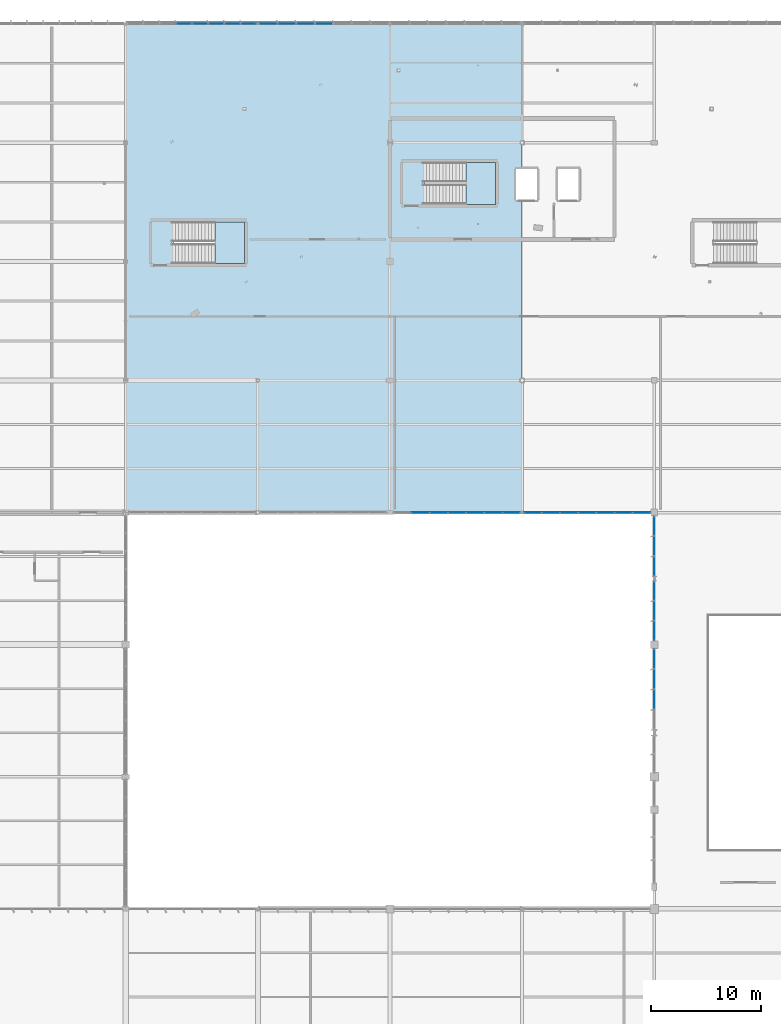
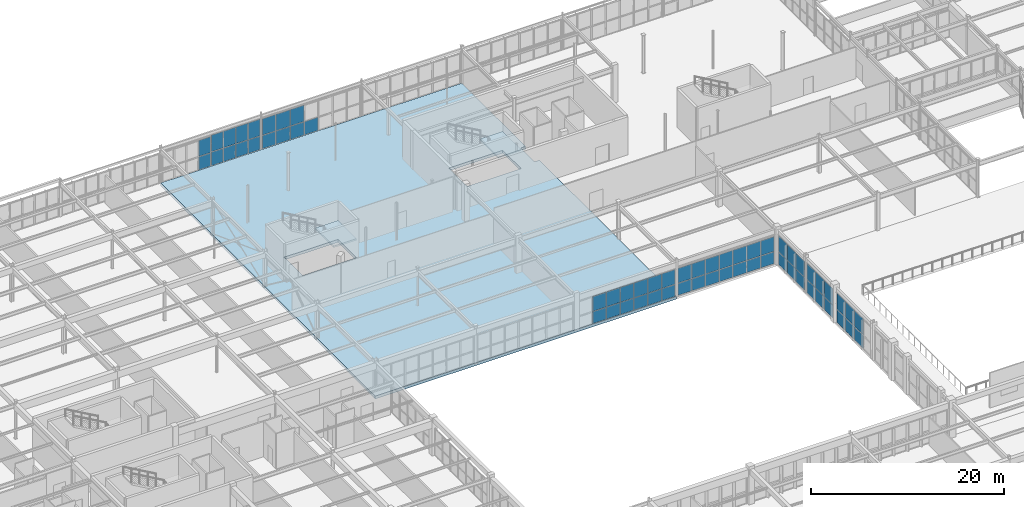
# One storey, part 141 of 226: 61 plates, 3 slabs, 10 elements without a shape of their own.
"""IFC4 building model written with IfcOpenShell, lengths in metres."""

from ifc_helpers import new_model, si_unit, direction, frame, origin, origin_2d, place, context, subcontext, project, spatial, polyline, rectangle, outline, extrude, material, layer, layer_set, type_object, element, aggregate, save


model = new_model("IFC4")

# Units and contexts
model_context = context("Model", 3, precision=1e-05, world=origin(), true_north=direction((0.0, 1.0)))
body_context = subcontext(model_context, "Body", "Model", "MODEL_VIEW")
ifc_project = project(units=[si_unit("LENGTHUNIT", "METRE"), si_unit("AREAUNIT", "SQUARE_METRE"), si_unit("VOLUMEUNIT", "CUBIC_METRE"), si_unit("PLANEANGLEUNIT", "RADIAN"), si_unit("MASSUNIT", "GRAM", prefix="KILO")], contexts=[model_context])

# Site, building, storey
site_placement = place(None, origin())
site = spatial("IfcSite", under=ifc_project, at=site_placement, CompositionType="ELEMENT")
building_placement = place(site_placement, origin())
building = spatial("IfcBuilding", under=site, at=building_placement, Name="Tarnwether General Hospital", CompositionType="ELEMENT")
storey_placement = place(building_placement, frame((0.0, 0.0, 4.800048828125)))
storey = spatial("IfcBuildingStorey", under=building, at=storey_placement, Name="L01", CompositionType="ELEMENT", Elevation=4.800048828125)

# Curtain wall, plates
ifc_material_1 = material(Name="Anodised aluminium", Category="aluminium")
ifc_layer_1 = layer(ifc_material_1, 0.159912109375)
ifc_layer_set_1 = layer_set([ifc_layer_1], Name="Anodised aluminium")
curtain_wall_type_1 = type_object("IfcCurtainWallType", Name="CW-12", PredefinedType="NOTDEFINED", material=ifc_layer_set_1)
curtain_wall_1_placement = place(storey_placement, origin())
curtain_wall_1 = element("IfcCurtainWall", 1, at=curtain_wall_1_placement, inside=storey, type_object=curtain_wall_type_1, Name="Curtain Wall CWG-L01-601_1260-0322", PredefinedType="NOTDEFINED")
ifc_material_2 = material(Name="Double glazed low-E glass", Category="glass")
ifc_layer_2 = layer(ifc_material_2, 0.028076171875)
ifc_layer_set_2 = layer_set([ifc_layer_2], Name="Double glazed low-E glass")
plate_type = type_object("IfcPlateType", Name="PT-CWP1", PredefinedType="CURTAIN_PANEL", material=ifc_layer_set_2)
plate_1_placement = place(storey_placement, frame((65.251953125, 126.0, 0.06005859375), z_axis=(0.0, 0.0, 1.0), x_axis=(1.0, 0.0, 0.0)))
plate_1 = element("IfcPlate", 2, at=plate_1_placement, type_object=plate_type, Name="CW-12 panel 4.1", PredefinedType="CURTAIN_PANEL", context=body_context, shape_type="SweptSolid", body=[
    extrude(rectangle(XDim=1.376220703125, YDim=0.028076171875, at=origin_2d()), origin(), (0.0, 0.0, 1.0), 1.632568359375),
])
plate_2_placement = place(storey_placement, frame((65.251953125, 126.0, 1.75244140625), z_axis=(0.0, 0.0, 1.0), x_axis=(1.0, 0.0, 0.0)))
plate_2 = element("IfcPlate", 3, at=plate_2_placement, type_object=plate_type, Name="CW-12 panel 4.2", PredefinedType="CURTAIN_PANEL", context=body_context, shape_type="SweptSolid", body=[
    extrude(rectangle(XDim=1.376220703125, YDim=0.028076171875, at=origin_2d()), origin(), (0.0, 0.0, 1.0), 2.015380859375),
])
aggregate(curtain_wall_1, [plate_1, plate_2])

ifc_material_3 = material(Name="Anodised aluminium", Category="aluminium")
ifc_layer_3 = layer(ifc_material_3, 0.159912109375)
ifc_layer_set_3 = layer_set([ifc_layer_3], Name="Anodised aluminium")
curtain_wall_type_2 = type_object("IfcCurtainWallType", Name="CW-14", PredefinedType="NOTDEFINED", material=ifc_layer_set_3)
curtain_wall_2_placement = place(storey_placement, origin())
curtain_wall_2 = element("IfcCurtainWall", 4, at=curtain_wall_2_placement, inside=storey, type_object=curtain_wall_type_2, Name="Curtain Wall CWG-L01-660_1260-0323", PredefinedType="NOTDEFINED")
plate_3_placement = place(storey_placement, frame((66.75439453125, 126.0, 0.06005859375), z_axis=(0.0, 0.0, 1.0), x_axis=(1.0, 0.0, 0.0)))
plate_3 = element("IfcPlate", 5, at=plate_3_placement, type_object=plate_type, Name="CW-14 panel 1.1", PredefinedType="CURTAIN_PANEL", context=body_context, shape_type="SweptSolid", body=[
    extrude(rectangle(XDim=1.388916015625, YDim=0.028076171875, at=origin_2d()), origin(), (0.0, 0.0, 1.0), 1.69921875),
])
plate_4_placement = place(storey_placement, frame((66.75439453125, 126.0, 1.819091796875), z_axis=(0.0, 0.0, 1.0), x_axis=(1.0, 0.0, 0.0)))
plate_4 = element("IfcPlate", 6, at=plate_4_placement, type_object=plate_type, Name="CW-14 panel 1.2", PredefinedType="CURTAIN_PANEL", context=body_context, shape_type="SweptSolid", body=[
    extrude(rectangle(XDim=1.388916015625, YDim=0.028076171875, at=origin_2d()), origin(), (0.0, 0.0, 1.0), 2.0966796875),
])
plate_5_placement = place(storey_placement, frame((68.218505859375, 126.0, 0.06005859375), z_axis=(0.0, 0.0, 1.0), x_axis=(1.0, 0.0, 0.0)))
plate_5 = element("IfcPlate", 7, at=plate_5_placement, type_object=plate_type, Name="CW-14 panel 2.1", PredefinedType="CURTAIN_PANEL", context=body_context, shape_type="SweptSolid", body=[
    extrude(rectangle(XDim=1.4189453125, YDim=0.028076171875, at=origin_2d()), origin(), (0.0, 0.0, 1.0), 1.69921875),
])
plate_6_placement = place(storey_placement, frame((68.218505859375, 126.0, 1.819091796875), z_axis=(0.0, 0.0, 1.0), x_axis=(1.0, 0.0, 0.0)))
plate_6 = element("IfcPlate", 8, at=plate_6_placement, type_object=plate_type, Name="CW-14 panel 2.2", PredefinedType="CURTAIN_PANEL", context=body_context, shape_type="SweptSolid", body=[
    extrude(rectangle(XDim=1.4189453125, YDim=0.028076171875, at=origin_2d()), origin(), (0.0, 0.0, 1.0), 2.0966796875),
])
plate_7_placement = place(storey_placement, frame((69.697509765625, 126.0, 0.06005859375), z_axis=(0.0, 0.0, 1.0), x_axis=(1.0, 0.0, 0.0)))
plate_7 = element("IfcPlate", 9, at=plate_7_placement, type_object=plate_type, Name="CW-14 panel 3.1", PredefinedType="CURTAIN_PANEL", context=body_context, shape_type="SweptSolid", body=[
    extrude(rectangle(XDim=1.4189453125, YDim=0.028076171875, at=origin_2d()), origin(), (0.0, 0.0, 1.0), 1.69921875),
])
plate_8_placement = place(storey_placement, frame((69.697509765625, 126.0, 1.819091796875), z_axis=(0.0, 0.0, 1.0), x_axis=(1.0, 0.0, 0.0)))
plate_8 = element("IfcPlate", 10, at=plate_8_placement, type_object=plate_type, Name="CW-14 panel 3.2", PredefinedType="CURTAIN_PANEL", context=body_context, shape_type="SweptSolid", body=[
    extrude(rectangle(XDim=1.4189453125, YDim=0.028076171875, at=origin_2d()), origin(), (0.0, 0.0, 1.0), 2.0966796875),
])
plate_9_placement = place(storey_placement, frame((71.16162109375, 126.0, 0.06005859375), z_axis=(0.0, 0.0, 1.0), x_axis=(1.0, 0.0, 0.0)))
plate_9 = element("IfcPlate", 11, at=plate_9_placement, type_object=plate_type, Name="CW-14 panel 4.1", PredefinedType="CURTAIN_PANEL", context=body_context, shape_type="SweptSolid", body=[
    extrude(rectangle(XDim=1.388916015625, YDim=0.028076171875, at=origin_2d()), origin(), (0.0, 0.0, 1.0), 1.69921875),
])
plate_10_placement = place(storey_placement, frame((71.16162109375, 126.0, 1.819091796875), z_axis=(0.0, 0.0, 1.0), x_axis=(1.0, 0.0, 0.0)))
plate_10 = element("IfcPlate", 12, at=plate_10_placement, type_object=plate_type, Name="CW-14 panel 4.2", PredefinedType="CURTAIN_PANEL", context=body_context, shape_type="SweptSolid", body=[
    extrude(rectangle(XDim=1.388916015625, YDim=0.028076171875, at=origin_2d()), origin(), (0.0, 0.0, 1.0), 2.0966796875),
])
aggregate(curtain_wall_2, [plate_3, plate_4, plate_5, plate_6, plate_7, plate_8, plate_9, plate_10])

curtain_wall_3_placement = place(storey_placement, origin())
curtain_wall_3 = element("IfcCurtainWall", 13, at=curtain_wall_3_placement, inside=storey, type_object=curtain_wall_type_2, Name="Curtain Wall CWG-L01-721_1260-0324", PredefinedType="NOTDEFINED")
plate_11_placement = place(storey_placement, frame((72.944091796875, 126.0, 0.059814453125), z_axis=(0.0, 0.0, 1.0), x_axis=(1.0, 0.0, 0.0)))
plate_11 = element("IfcPlate", 14, at=plate_11_placement, type_object=plate_type, Name="CW-14 panel 1.1", PredefinedType="CURTAIN_PANEL", context=body_context, shape_type="SweptSolid", body=[
    extrude(rectangle(XDim=1.600341796875, YDim=0.028076171875, at=origin_2d()), origin(), (0.0, 0.0, 1.0), 1.666015625),
])
plate_12_placement = place(storey_placement, frame((72.944091796875, 126.0, 1.785888671875), z_axis=(0.0, 0.0, 1.0), x_axis=(1.0, 0.0, 0.0)))
plate_12 = element("IfcPlate", 15, at=plate_12_placement, type_object=plate_type, Name="CW-14 panel 1.2", PredefinedType="CURTAIN_PANEL", context=body_context, shape_type="SweptSolid", body=[
    extrude(rectangle(XDim=1.600341796875, YDim=0.028076171875, at=origin_2d()), origin(), (0.0, 0.0, 1.0), 2.05615234375),
])
plate_13_placement = place(storey_placement, frame((74.619384765625, 126.0, 0.059814453125), z_axis=(0.0, 0.0, 1.0), x_axis=(1.0, 0.0, 0.0)))
plate_13 = element("IfcPlate", 16, at=plate_13_placement, type_object=plate_type, Name="CW-14 panel 2.1", PredefinedType="CURTAIN_PANEL", context=body_context, shape_type="SweptSolid", body=[
    extrude(rectangle(XDim=1.63037109375, YDim=0.028076171875, at=origin_2d()), origin(), (0.0, 0.0, 1.0), 1.666015625),
])
plate_14_placement = place(storey_placement, frame((74.619384765625, 126.0, 1.785888671875), z_axis=(0.0, 0.0, 1.0), x_axis=(1.0, 0.0, 0.0)))
plate_14 = element("IfcPlate", 17, at=plate_14_placement, type_object=plate_type, Name="CW-14 panel 2.2", PredefinedType="CURTAIN_PANEL", context=body_context, shape_type="SweptSolid", body=[
    extrude(rectangle(XDim=1.63037109375, YDim=0.028076171875, at=origin_2d()), origin(), (0.0, 0.0, 1.0), 2.05615234375),
])
plate_15_placement = place(storey_placement, frame((76.309814453125, 126.0, 0.059814453125), z_axis=(0.0, 0.0, 1.0), x_axis=(1.0, 0.0, 0.0)))
plate_15 = element("IfcPlate", 18, at=plate_15_placement, type_object=plate_type, Name="CW-14 panel 3.1", PredefinedType="CURTAIN_PANEL", context=body_context, shape_type="SweptSolid", body=[
    extrude(rectangle(XDim=1.63037109375, YDim=0.028076171875, at=origin_2d()), origin(), (0.0, 0.0, 1.0), 1.666015625),
])
plate_16_placement = place(storey_placement, frame((76.309814453125, 126.0, 1.785888671875), z_axis=(0.0, 0.0, 1.0), x_axis=(1.0, 0.0, 0.0)))
plate_16 = element("IfcPlate", 19, at=plate_16_placement, type_object=plate_type, Name="CW-14 panel 3.2", PredefinedType="CURTAIN_PANEL", context=body_context, shape_type="SweptSolid", body=[
    extrude(rectangle(XDim=1.63037109375, YDim=0.028076171875, at=origin_2d()), origin(), (0.0, 0.0, 1.0), 2.05615234375),
])
plate_17_placement = place(storey_placement, frame((78.0, 126.0, 0.059814453125), z_axis=(0.0, 0.0, 1.0), x_axis=(1.0, 0.0, 0.0)))
plate_17 = element("IfcPlate", 20, at=plate_17_placement, type_object=plate_type, Name="CW-14 panel 4.1", PredefinedType="CURTAIN_PANEL", context=body_context, shape_type="SweptSolid", body=[
    extrude(rectangle(XDim=1.63037109375, YDim=0.028076171875, at=origin_2d()), origin(), (0.0, 0.0, 1.0), 1.666015625),
])
aggregate(curtain_wall_3, [plate_11, plate_12, plate_13, plate_14, plate_15, plate_16, plate_17])

ifc_material_4 = material(Name="Anodised aluminium", Category="aluminium")
ifc_layer_4 = layer(ifc_material_4, 0.159912109375)
ifc_layer_set_4 = layer_set([ifc_layer_4], Name="Anodised aluminium")
curtain_wall_type_3 = type_object("IfcCurtainWallType", Name="CW-23", PredefinedType="NOTDEFINED", material=ifc_layer_set_4)
curtain_wall_4_placement = place(storey_placement, origin())
curtain_wall_4 = element("IfcCurtainWall", 21, at=curtain_wall_4_placement, inside=storey, type_object=curtain_wall_type_3, Name="Curtain Wall CWG-L01-843_816-0341", PredefinedType="NOTDEFINED")
plate_18_placement = place(storey_placement, frame((86.7841796875, 81.60009765625, 0.059814453125), z_axis=(0.0, 0.0, 1.0), x_axis=(1.0, 0.0, 0.0)))
plate_18 = element("IfcPlate", 22, at=plate_18_placement, type_object=plate_type, Name="CW-23 panel 2.1", PredefinedType="CURTAIN_PANEL", context=body_context, shape_type="SweptSolid", body=[
    extrude(rectangle(XDim=1.5908203125, YDim=0.028076171875, at=origin_2d()), origin(), (0.0, 0.0, 1.0), 1.49853515625),
])
plate_19_placement = place(storey_placement, frame((86.7841796875, 81.60009765625, 1.618408203125), z_axis=(0.0, 0.0, 1.0), x_axis=(1.0, 0.0, 0.0)))
plate_19 = element("IfcPlate", 23, at=plate_19_placement, type_object=plate_type, Name="CW-23 panel 2.2", PredefinedType="CURTAIN_PANEL", context=body_context, shape_type="SweptSolid", body=[
    extrude(rectangle(XDim=1.5908203125, YDim=0.028076171875, at=origin_2d()), origin(), (0.0, 0.0, 1.0), 1.8515625),
])
plate_20_placement = place(storey_placement, frame((88.43505859375, 81.60009765625, 0.059814453125), z_axis=(0.0, 0.0, 1.0), x_axis=(1.0, 0.0, 0.0)))
plate_20 = element("IfcPlate", 24, at=plate_20_placement, type_object=plate_type, Name="CW-23 panel 3.1", PredefinedType="CURTAIN_PANEL", context=body_context, shape_type="SweptSolid", body=[
    extrude(rectangle(XDim=1.5908203125, YDim=0.028076171875, at=origin_2d()), origin(), (0.0, 0.0, 1.0), 1.49853515625),
])
plate_21_placement = place(storey_placement, frame((88.43505859375, 81.60009765625, 1.618408203125), z_axis=(0.0, 0.0, 1.0), x_axis=(1.0, 0.0, 0.0)))
plate_21 = element("IfcPlate", 25, at=plate_21_placement, type_object=plate_type, Name="CW-23 panel 3.2", PredefinedType="CURTAIN_PANEL", context=body_context, shape_type="SweptSolid", body=[
    extrude(rectangle(XDim=1.5908203125, YDim=0.028076171875, at=origin_2d()), origin(), (0.0, 0.0, 1.0), 1.8515625),
])
plate_22_placement = place(storey_placement, frame((90.0859375, 81.60009765625, 0.059814453125), z_axis=(0.0, 0.0, 1.0), x_axis=(1.0, 0.0, 0.0)))
plate_22 = element("IfcPlate", 26, at=plate_22_placement, type_object=plate_type, Name="CW-23 panel 4.1", PredefinedType="CURTAIN_PANEL", context=body_context, shape_type="SweptSolid", body=[
    extrude(rectangle(XDim=1.5908203125, YDim=0.028076171875, at=origin_2d()), origin(), (0.0, 0.0, 1.0), 1.49853515625),
])
plate_23_placement = place(storey_placement, frame((90.0859375, 81.60009765625, 1.618408203125), z_axis=(0.0, 0.0, 1.0), x_axis=(1.0, 0.0, 0.0)))
plate_23 = element("IfcPlate", 27, at=plate_23_placement, type_object=plate_type, Name="CW-23 panel 4.2", PredefinedType="CURTAIN_PANEL", context=body_context, shape_type="SweptSolid", body=[
    extrude(rectangle(XDim=1.5908203125, YDim=0.028076171875, at=origin_2d()), origin(), (0.0, 0.0, 1.0), 1.8515625),
])
plate_24_placement = place(storey_placement, frame((91.73681640625, 81.60009765625, 0.059814453125), z_axis=(0.0, 0.0, 1.0), x_axis=(1.0, 0.0, 0.0)))
plate_24 = element("IfcPlate", 28, at=plate_24_placement, type_object=plate_type, Name="CW-23 panel 5.1", PredefinedType="CURTAIN_PANEL", context=body_context, shape_type="SweptSolid", body=[
    extrude(rectangle(XDim=1.5908203125, YDim=0.028076171875, at=origin_2d()), origin(), (0.0, 0.0, 1.0), 1.49853515625),
])
plate_25_placement = place(storey_placement, frame((91.73681640625, 81.60009765625, 1.618408203125), z_axis=(0.0, 0.0, 1.0), x_axis=(1.0, 0.0, 0.0)))
plate_25 = element("IfcPlate", 29, at=plate_25_placement, type_object=plate_type, Name="CW-23 panel 5.2", PredefinedType="CURTAIN_PANEL", context=body_context, shape_type="SweptSolid", body=[
    extrude(rectangle(XDim=1.5908203125, YDim=0.028076171875, at=origin_2d()), origin(), (0.0, 0.0, 1.0), 1.8515625),
])
plate_26_placement = place(storey_placement, frame((93.3876953125, 81.60009765625, 0.059814453125), z_axis=(0.0, 0.0, 1.0), x_axis=(1.0, 0.0, 0.0)))
plate_26 = element("IfcPlate", 30, at=plate_26_placement, type_object=plate_type, Name="CW-23 panel 6.1", PredefinedType="CURTAIN_PANEL", context=body_context, shape_type="SweptSolid", body=[
    extrude(rectangle(XDim=1.5908203125, YDim=0.028076171875, at=origin_2d()), origin(), (0.0, 0.0, 1.0), 1.49853515625),
])
plate_27_placement = place(storey_placement, frame((93.3876953125, 81.60009765625, 1.618408203125), z_axis=(0.0, 0.0, 1.0), x_axis=(1.0, 0.0, 0.0)))
plate_27 = element("IfcPlate", 31, at=plate_27_placement, type_object=plate_type, Name="CW-23 panel 6.2", PredefinedType="CURTAIN_PANEL", context=body_context, shape_type="SweptSolid", body=[
    extrude(rectangle(XDim=1.5908203125, YDim=0.028076171875, at=origin_2d()), origin(), (0.0, 0.0, 1.0), 1.8515625),
])
plate_28_placement = place(storey_placement, frame((95.023681640625, 81.60009765625, 0.059814453125), z_axis=(0.0, 0.0, 1.0), x_axis=(1.0, 0.0, 0.0)))
plate_28 = element("IfcPlate", 32, at=plate_28_placement, type_object=plate_type, Name="CW-23 panel 7.1", PredefinedType="CURTAIN_PANEL", context=body_context, shape_type="SweptSolid", body=[
    extrude(rectangle(XDim=1.560791015625, YDim=0.028076171875, at=origin_2d()), origin(), (0.0, 0.0, 1.0), 1.49853515625),
])
plate_29_placement = place(storey_placement, frame((95.023681640625, 81.60009765625, 1.618408203125), z_axis=(0.0, 0.0, 1.0), x_axis=(1.0, 0.0, 0.0)))
plate_29 = element("IfcPlate", 33, at=plate_29_placement, type_object=plate_type, Name="CW-23 panel 7.2", PredefinedType="CURTAIN_PANEL", context=body_context, shape_type="SweptSolid", body=[
    extrude(rectangle(XDim=1.560791015625, YDim=0.028076171875, at=origin_2d()), origin(), (0.0, 0.0, 1.0), 1.8515625),
])
aggregate(curtain_wall_4, [plate_18, plate_19, plate_20, plate_21, plate_22, plate_23, plate_24, plate_25, plate_26, plate_27, plate_28, plate_29])

curtain_wall_5_placement = place(storey_placement, origin())
curtain_wall_5 = element("IfcCurtainWall", 34, at=curtain_wall_5_placement, inside=storey, type_object=curtain_wall_type_3, Name="Curtain Wall CWG-L01-961_816-0342", PredefinedType="NOTDEFINED")
plate_30_placement = place(storey_placement, frame((96.976318359375, 81.60009765625, 0.059814453125), z_axis=(0.0, 0.0, 1.0), x_axis=(1.0, 0.0, 0.0)))
plate_30 = element("IfcPlate", 35, at=plate_30_placement, type_object=plate_type, Name="CW-23 panel 1.1", PredefinedType="CURTAIN_PANEL", context=body_context, shape_type="SweptSolid", body=[
    extrude(rectangle(XDim=1.560791015625, YDim=0.028076171875, at=origin_2d()), origin(), (0.0, 0.0, 1.0), 1.49853515625),
])
plate_31_placement = place(storey_placement, frame((96.976318359375, 81.60009765625, 1.618408203125), z_axis=(0.0, 0.0, 1.0), x_axis=(1.0, 0.0, 0.0)))
plate_31 = element("IfcPlate", 36, at=plate_31_placement, type_object=plate_type, Name="CW-23 panel 1.2", PredefinedType="CURTAIN_PANEL", context=body_context, shape_type="SweptSolid", body=[
    extrude(rectangle(XDim=1.560791015625, YDim=0.028076171875, at=origin_2d()), origin(), (0.0, 0.0, 1.0), 1.8515625),
])
plate_32_placement = place(storey_placement, frame((98.6123046875, 81.60009765625, 0.059814453125), z_axis=(0.0, 0.0, 1.0), x_axis=(1.0, 0.0, 0.0)))
plate_32 = element("IfcPlate", 37, at=plate_32_placement, type_object=plate_type, Name="CW-23 panel 2.1", PredefinedType="CURTAIN_PANEL", context=body_context, shape_type="SweptSolid", body=[
    extrude(rectangle(XDim=1.5908203125, YDim=0.028076171875, at=origin_2d()), origin(), (0.0, 0.0, 1.0), 1.49853515625),
])
plate_33_placement = place(storey_placement, frame((98.6123046875, 81.60009765625, 1.618408203125), z_axis=(0.0, 0.0, 1.0), x_axis=(1.0, 0.0, 0.0)))
plate_33 = element("IfcPlate", 38, at=plate_33_placement, type_object=plate_type, Name="CW-23 panel 2.2", PredefinedType="CURTAIN_PANEL", context=body_context, shape_type="SweptSolid", body=[
    extrude(rectangle(XDim=1.5908203125, YDim=0.028076171875, at=origin_2d()), origin(), (0.0, 0.0, 1.0), 1.8515625),
])
plate_34_placement = place(storey_placement, frame((100.26318359375, 81.60009765625, 0.059814453125), z_axis=(0.0, 0.0, 1.0), x_axis=(1.0, 0.0, 0.0)))
plate_34 = element("IfcPlate", 39, at=plate_34_placement, type_object=plate_type, Name="CW-23 panel 3.1", PredefinedType="CURTAIN_PANEL", context=body_context, shape_type="SweptSolid", body=[
    extrude(rectangle(XDim=1.5908203125, YDim=0.028076171875, at=origin_2d()), origin(), (0.0, 0.0, 1.0), 1.49853515625),
])
plate_35_placement = place(storey_placement, frame((100.26318359375, 81.60009765625, 1.618408203125), z_axis=(0.0, 0.0, 1.0), x_axis=(1.0, 0.0, 0.0)))
plate_35 = element("IfcPlate", 40, at=plate_35_placement, type_object=plate_type, Name="CW-23 panel 3.2", PredefinedType="CURTAIN_PANEL", context=body_context, shape_type="SweptSolid", body=[
    extrude(rectangle(XDim=1.5908203125, YDim=0.028076171875, at=origin_2d()), origin(), (0.0, 0.0, 1.0), 1.8515625),
])
plate_36_placement = place(storey_placement, frame((101.9140625, 81.60009765625, 0.059814453125), z_axis=(0.0, 0.0, 1.0), x_axis=(1.0, 0.0, 0.0)))
plate_36 = element("IfcPlate", 41, at=plate_36_placement, type_object=plate_type, Name="CW-23 panel 4.1", PredefinedType="CURTAIN_PANEL", context=body_context, shape_type="SweptSolid", body=[
    extrude(rectangle(XDim=1.5908203125, YDim=0.028076171875, at=origin_2d()), origin(), (0.0, 0.0, 1.0), 1.49853515625),
])
plate_37_placement = place(storey_placement, frame((101.9140625, 81.60009765625, 1.618408203125), z_axis=(0.0, 0.0, 1.0), x_axis=(1.0, 0.0, 0.0)))
plate_37 = element("IfcPlate", 42, at=plate_37_placement, type_object=plate_type, Name="CW-23 panel 4.2", PredefinedType="CURTAIN_PANEL", context=body_context, shape_type="SweptSolid", body=[
    extrude(rectangle(XDim=1.5908203125, YDim=0.028076171875, at=origin_2d()), origin(), (0.0, 0.0, 1.0), 1.8515625),
])
plate_38_placement = place(storey_placement, frame((103.56494140625, 81.60009765625, 0.059814453125), z_axis=(0.0, 0.0, 1.0), x_axis=(1.0, 0.0, 0.0)))
plate_38 = element("IfcPlate", 43, at=plate_38_placement, type_object=plate_type, Name="CW-23 panel 5.1", PredefinedType="CURTAIN_PANEL", context=body_context, shape_type="SweptSolid", body=[
    extrude(rectangle(XDim=1.5908203125, YDim=0.028076171875, at=origin_2d()), origin(), (0.0, 0.0, 1.0), 1.49853515625),
])
plate_39_placement = place(storey_placement, frame((103.56494140625, 81.60009765625, 1.618408203125), z_axis=(0.0, 0.0, 1.0), x_axis=(1.0, 0.0, 0.0)))
plate_39 = element("IfcPlate", 44, at=plate_39_placement, type_object=plate_type, Name="CW-23 panel 5.2", PredefinedType="CURTAIN_PANEL", context=body_context, shape_type="SweptSolid", body=[
    extrude(rectangle(XDim=1.5908203125, YDim=0.028076171875, at=origin_2d()), origin(), (0.0, 0.0, 1.0), 1.8515625),
])
plate_40_placement = place(storey_placement, frame((105.2158203125, 81.60009765625, 0.059814453125), z_axis=(0.0, 0.0, 1.0), x_axis=(1.0, 0.0, 0.0)))
plate_40 = element("IfcPlate", 45, at=plate_40_placement, type_object=plate_type, Name="CW-23 panel 6.1", PredefinedType="CURTAIN_PANEL", context=body_context, shape_type="SweptSolid", body=[
    extrude(rectangle(XDim=1.5908203125, YDim=0.028076171875, at=origin_2d()), origin(), (0.0, 0.0, 1.0), 1.49853515625),
])
plate_41_placement = place(storey_placement, frame((105.2158203125, 81.60009765625, 1.618408203125), z_axis=(0.0, 0.0, 1.0), x_axis=(1.0, 0.0, 0.0)))
plate_41 = element("IfcPlate", 46, at=plate_41_placement, type_object=plate_type, Name="CW-23 panel 6.2", PredefinedType="CURTAIN_PANEL", context=body_context, shape_type="SweptSolid", body=[
    extrude(rectangle(XDim=1.5908203125, YDim=0.028076171875, at=origin_2d()), origin(), (0.0, 0.0, 1.0), 1.8515625),
])
plate_42_placement = place(storey_placement, frame((106.8515625, 81.60009765625, 0.059814453125), z_axis=(0.0, 0.0, 1.0), x_axis=(1.0, 0.0, 0.0)))
plate_42 = element("IfcPlate", 47, at=plate_42_placement, type_object=plate_type, Name="CW-23 panel 7.1", PredefinedType="CURTAIN_PANEL", context=body_context, shape_type="SweptSolid", body=[
    extrude(rectangle(XDim=1.560791015625, YDim=0.028076171875, at=origin_2d()), origin(), (0.0, 0.0, 1.0), 1.49853515625),
])
plate_43_placement = place(storey_placement, frame((106.8515625, 81.60009765625, 1.618408203125), z_axis=(0.0, 0.0, 1.0), x_axis=(1.0, 0.0, 0.0)))
plate_43 = element("IfcPlate", 48, at=plate_43_placement, type_object=plate_type, Name="CW-23 panel 7.2", PredefinedType="CURTAIN_PANEL", context=body_context, shape_type="SweptSolid", body=[
    extrude(rectangle(XDim=1.560791015625, YDim=0.028076171875, at=origin_2d()), origin(), (0.0, 0.0, 1.0), 1.8515625),
])
aggregate(curtain_wall_5, [plate_30, plate_31, plate_32, plate_33, plate_34, plate_35, plate_36, plate_37, plate_38, plate_39, plate_40, plate_41, plate_42, plate_43])

ifc_material_5 = material(Name="Anodised aluminium", Category="aluminium")
ifc_layer_5 = layer(ifc_material_5, 0.179931640625)
ifc_layer_set_5 = layer_set([ifc_layer_5], Name="Anodised aluminium")
curtain_wall_type_4 = type_object("IfcCurtainWallType", Name="CW-07", PredefinedType="NOTDEFINED", material=ifc_layer_set_5)
curtain_wall_6_placement = place(storey_placement, origin())
curtain_wall_6 = element("IfcCurtainWall", 49, at=curtain_wall_6_placement, inside=storey, type_object=curtain_wall_type_4, Name="Curtain Wall CWG-L01-1080_619-0358", PredefinedType="NOTDEFINED")
plate_44_placement = place(storey_placement, frame((108.0, 64.626953125, 0.059814453125), z_axis=(0.0, 0.0, 1.0), x_axis=(0.0, 1.0, 0.0)))
plate_44 = element("IfcPlate", 50, at=plate_44_placement, type_object=plate_type, Name="CW-07 panel 2.1", PredefinedType="CURTAIN_PANEL", context=body_context, shape_type="SweptSolid", body=[
    extrude(rectangle(XDim=1.785888671875, YDim=0.028076171875, at=origin_2d()), origin(), (0.0, 0.0, 1.0), 1.63037109375),
])
plate_45_placement = place(storey_placement, frame((108.0, 64.626953125, 1.750244140625), z_axis=(0.0, 0.0, 1.0), x_axis=(0.0, 1.0, 0.0)))
plate_45 = element("IfcPlate", 51, at=plate_45_placement, type_object=plate_type, Name="CW-07 panel 2.2", PredefinedType="CURTAIN_PANEL", context=body_context, shape_type="SweptSolid", body=[
    extrude(rectangle(XDim=1.785888671875, YDim=0.028076171875, at=origin_2d()), origin(), (0.0, 0.0, 1.0), 2.0126953125),
])
plate_46_placement = place(storey_placement, frame((108.0, 66.472900390625, 0.059814453125), z_axis=(0.0, 0.0, 1.0), x_axis=(0.0, 1.0, 0.0)))
plate_46 = element("IfcPlate", 52, at=plate_46_placement, type_object=plate_type, Name="CW-07 panel 3.1", PredefinedType="CURTAIN_PANEL", context=body_context, shape_type="SweptSolid", body=[
    extrude(rectangle(XDim=1.785888671875, YDim=0.028076171875, at=origin_2d()), origin(), (0.0, 0.0, 1.0), 1.63037109375),
])
plate_47_placement = place(storey_placement, frame((108.0, 66.472900390625, 1.750244140625), z_axis=(0.0, 0.0, 1.0), x_axis=(0.0, 1.0, 0.0)))
plate_47 = element("IfcPlate", 53, at=plate_47_placement, type_object=plate_type, Name="CW-07 panel 3.2", PredefinedType="CURTAIN_PANEL", context=body_context, shape_type="SweptSolid", body=[
    extrude(rectangle(XDim=1.785888671875, YDim=0.028076171875, at=origin_2d()), origin(), (0.0, 0.0, 1.0), 2.0126953125),
])
plate_48_placement = place(storey_placement, frame((108.0, 68.303955078125, 0.059814453125), z_axis=(0.0, 0.0, 1.0), x_axis=(0.0, 1.0, 0.0)))
plate_48 = element("IfcPlate", 54, at=plate_48_placement, type_object=plate_type, Name="CW-07 panel 4.1", PredefinedType="CURTAIN_PANEL", context=body_context, shape_type="SweptSolid", body=[
    extrude(rectangle(XDim=1.756103515625, YDim=0.028076171875, at=origin_2d()), origin(), (0.0, 0.0, 1.0), 1.63037109375),
])
plate_49_placement = place(storey_placement, frame((108.0, 68.303955078125, 1.750244140625), z_axis=(0.0, 0.0, 1.0), x_axis=(0.0, 1.0, 0.0)))
plate_49 = element("IfcPlate", 55, at=plate_49_placement, type_object=plate_type, Name="CW-07 panel 4.2", PredefinedType="CURTAIN_PANEL", context=body_context, shape_type="SweptSolid", body=[
    extrude(rectangle(XDim=1.756103515625, YDim=0.028076171875, at=origin_2d()), origin(), (0.0, 0.0, 1.0), 2.0126953125),
])
aggregate(curtain_wall_6, [plate_44, plate_45, plate_46, plate_47, plate_48, plate_49])

curtain_wall_7_placement = place(storey_placement, origin())
curtain_wall_7 = element("IfcCurtainWall", 56, at=curtain_wall_7_placement, inside=storey, type_object=curtain_wall_type_4, Name="Curtain Wall CWG-L01-1080_700-0359", PredefinedType="NOTDEFINED")
plate_50_placement = place(storey_placement, frame((108.0, 70.878662109375, 0.06005859375), z_axis=(0.0, 0.0, 1.0), x_axis=(0.0, 1.0, 0.0)))
plate_50 = element("IfcPlate", 57, at=plate_50_placement, type_object=plate_type, Name="CW-07 panel 1.1", PredefinedType="CURTAIN_PANEL", context=body_context, shape_type="SweptSolid", body=[
    extrude(rectangle(XDim=1.721435546875, YDim=0.028076171875, at=origin_2d()), origin(), (0.0, 0.0, 1.0), 1.632568359375),
])
plate_51_placement = place(storey_placement, frame((108.0, 70.878662109375, 1.75244140625), z_axis=(0.0, 0.0, 1.0), x_axis=(0.0, 1.0, 0.0)))
plate_51 = element("IfcPlate", 58, at=plate_51_placement, type_object=plate_type, Name="CW-07 panel 1.2", PredefinedType="CURTAIN_PANEL", context=body_context, shape_type="SweptSolid", body=[
    extrude(rectangle(XDim=1.721435546875, YDim=0.028076171875, at=origin_2d()), origin(), (0.0, 0.0, 1.0), 2.015380859375),
])
plate_52_placement = place(storey_placement, frame((108.0, 72.675048828125, 0.06005859375), z_axis=(0.0, 0.0, 1.0), x_axis=(0.0, 1.0, 0.0)))
plate_52 = element("IfcPlate", 59, at=plate_52_placement, type_object=plate_type, Name="CW-07 panel 2.1", PredefinedType="CURTAIN_PANEL", context=body_context, shape_type="SweptSolid", body=[
    extrude(rectangle(XDim=1.751220703125, YDim=0.028076171875, at=origin_2d()), origin(), (0.0, 0.0, 1.0), 1.632568359375),
])
plate_53_placement = place(storey_placement, frame((108.0, 72.675048828125, 1.75244140625), z_axis=(0.0, 0.0, 1.0), x_axis=(0.0, 1.0, 0.0)))
plate_53 = element("IfcPlate", 60, at=plate_53_placement, type_object=plate_type, Name="CW-07 panel 2.2", PredefinedType="CURTAIN_PANEL", context=body_context, shape_type="SweptSolid", body=[
    extrude(rectangle(XDim=1.751220703125, YDim=0.028076171875, at=origin_2d()), origin(), (0.0, 0.0, 1.0), 2.015380859375),
])
plate_54_placement = place(storey_placement, frame((108.0, 74.471435546875, 0.06005859375), z_axis=(0.0, 0.0, 1.0), x_axis=(0.0, 1.0, 0.0)))
plate_54 = element("IfcPlate", 61, at=plate_54_placement, type_object=plate_type, Name="CW-07 panel 3.1", PredefinedType="CURTAIN_PANEL", context=body_context, shape_type="SweptSolid", body=[
    extrude(rectangle(XDim=1.721435546875, YDim=0.028076171875, at=origin_2d()), origin(), (0.0, 0.0, 1.0), 1.632568359375),
])
plate_55_placement = place(storey_placement, frame((108.0, 74.471435546875, 1.75244140625), z_axis=(0.0, 0.0, 1.0), x_axis=(0.0, 1.0, 0.0)))
plate_55 = element("IfcPlate", 62, at=plate_55_placement, type_object=plate_type, Name="CW-07 panel 3.2", PredefinedType="CURTAIN_PANEL", context=body_context, shape_type="SweptSolid", body=[
    extrude(rectangle(XDim=1.721435546875, YDim=0.028076171875, at=origin_2d()), origin(), (0.0, 0.0, 1.0), 2.015380859375),
])
aggregate(curtain_wall_7, [plate_50, plate_51, plate_52, plate_53, plate_54, plate_55])

curtain_wall_8_placement = place(storey_placement, origin())
curtain_wall_8 = element("IfcCurtainWall", 63, at=curtain_wall_8_placement, inside=storey, type_object=curtain_wall_type_4, Name="Curtain Wall CWG-L01-1080_758-0360", PredefinedType="NOTDEFINED")
plate_56_placement = place(storey_placement, frame((108.0, 76.737060546875, 0.06005859375), z_axis=(0.0, 0.0, 1.0), x_axis=(0.0, 1.0, 0.0)))
plate_56 = element("IfcPlate", 64, at=plate_56_placement, type_object=plate_type, Name="CW-07 panel 1.1", PredefinedType="CURTAIN_PANEL", context=body_context, shape_type="SweptSolid", body=[
    extrude(rectangle(XDim=1.738037109375, YDim=0.028076171875, at=origin_2d()), origin(), (0.0, 0.0, 1.0), 1.592041015625),
])
plate_57_placement = place(storey_placement, frame((108.0, 76.737060546875, 1.712158203125), z_axis=(0.0, 0.0, 1.0), x_axis=(0.0, 1.0, 0.0)))
plate_57 = element("IfcPlate", 65, at=plate_57_placement, type_object=plate_type, Name="CW-07 panel 1.2", PredefinedType="CURTAIN_PANEL", context=body_context, shape_type="SweptSolid", body=[
    extrude(rectangle(XDim=1.738037109375, YDim=0.028076171875, at=origin_2d()), origin(), (0.0, 0.0, 1.0), 1.9658203125),
])
plate_58_placement = place(storey_placement, frame((108.0, 78.550048828125, 0.06005859375), z_axis=(0.0, 0.0, 1.0), x_axis=(0.0, 1.0, 0.0)))
plate_58 = element("IfcPlate", 66, at=plate_58_placement, type_object=plate_type, Name="CW-07 panel 2.1", PredefinedType="CURTAIN_PANEL", context=body_context, shape_type="SweptSolid", body=[
    extrude(rectangle(XDim=1.76806640625, YDim=0.028076171875, at=origin_2d()), origin(), (0.0, 0.0, 1.0), 1.592041015625),
])
plate_59_placement = place(storey_placement, frame((108.0, 78.550048828125, 1.712158203125), z_axis=(0.0, 0.0, 1.0), x_axis=(0.0, 1.0, 0.0)))
plate_59 = element("IfcPlate", 67, at=plate_59_placement, type_object=plate_type, Name="CW-07 panel 2.2", PredefinedType="CURTAIN_PANEL", context=body_context, shape_type="SweptSolid", body=[
    extrude(rectangle(XDim=1.76806640625, YDim=0.028076171875, at=origin_2d()), origin(), (0.0, 0.0, 1.0), 1.9658203125),
])
plate_60_placement = place(storey_placement, frame((108.0, 80.363037109375, 0.06005859375), z_axis=(0.0, 0.0, 1.0), x_axis=(0.0, 1.0, 0.0)))
plate_60 = element("IfcPlate", 68, at=plate_60_placement, type_object=plate_type, Name="CW-07 panel 3.1", PredefinedType="CURTAIN_PANEL", context=body_context, shape_type="SweptSolid", body=[
    extrude(rectangle(XDim=1.738037109375, YDim=0.028076171875, at=origin_2d()), origin(), (0.0, 0.0, 1.0), 1.592041015625),
])
plate_61_placement = place(storey_placement, frame((108.0, 80.363037109375, 1.712158203125), z_axis=(0.0, 0.0, 1.0), x_axis=(0.0, 1.0, 0.0)))
plate_61 = element("IfcPlate", 69, at=plate_61_placement, type_object=plate_type, Name="CW-07 panel 3.2", PredefinedType="CURTAIN_PANEL", context=body_context, shape_type="SweptSolid", body=[
    extrude(rectangle(XDim=1.738037109375, YDim=0.028076171875, at=origin_2d()), origin(), (0.0, 0.0, 1.0), 1.9658203125),
])
aggregate(curtain_wall_8, [plate_56, plate_57, plate_58, plate_59, plate_60, plate_61])

# Slab
ifc_material_6 = material(Name="Concrete 40 MPa", Category="concrete")
ifc_layer_6 = layer(ifc_material_6, 0.35498046875)
ifc_layer_set_6 = layer_set([ifc_layer_6], Name="Concrete 40 MPa")
slab_type_1 = type_object("IfcSlabType", Name="SL-FL220", PredefinedType="FLOOR", material=ifc_layer_set_6)
slab_1_placement = place(storey_placement, frame((0.0, 0.0, -0.35498046875)))
element("IfcSlab", 70, at=slab_1_placement, inside=storey, type_object=slab_type_1, Name="L01 Pathology West Floor SL-L01-V4N1", PredefinedType="FLOOR", context=body_context, shape_type="SweptSolid", body=[
    extrude(outline(polyline([(96.0, 81.60009765625), (60.0, 81.60009765625), (60.0, 126.0), (96.0, 126.0), (96.0, 112.830078125), (95.419921875, 112.830078125), (95.419921875, 109.969970703125), (96.0, 109.969970703125), (96.0, 81.60009765625)]), holes=[polyline([(70.800048828125, 108.0), (64.3798828125, 108.0), (64.3798828125, 104.199951171875), (70.800048828125, 104.199951171875), (70.800048828125, 108.0)]), polyline([(93.60009765625, 109.60009765625), (93.60009765625, 113.39990234375), (87.179931640625, 113.39990234375), (87.179931640625, 109.60009765625), (93.60009765625, 109.60009765625)])]), origin(), (0.0, 0.0, 1.0), 0.35498046875),
])

# Stair, slab
ifc_material_7 = material(Name="Concrete 40 MPa", Category="concrete")
stair_type = type_object("IfcStairType", Name="ST-DL48A", PredefinedType="HALF_TURN_STAIR", material=ifc_material_7)
stair_1_placement = place(storey_placement, origin())
stair_1 = element("IfcStair", 71, at=stair_1_placement, inside=storey, type_object=stair_type, Name="L01 Exit Stair ST-01", PredefinedType="HALF_TURN_STAIR")
ifc_material_8 = material(Name="Concrete 40 MPa", Category="concrete")
ifc_layer_7 = layer(ifc_material_8, 0.199951171875)
ifc_layer_set_7 = layer_set([ifc_layer_7], Name="Concrete 40 MPa")
slab_type_2 = type_object("IfcSlabType", Name="SL-LD200", PredefinedType="LANDING", material=ifc_layer_set_7)
slab_2_placement = place(storey_placement, frame((0.0, 0.0, 2.199951171875)))
slab_2 = element("IfcSlab", 72, at=slab_2_placement, type_object=slab_type_2, Name="ST-01 landing 1", PredefinedType="LANDING", context=body_context, shape_type="SweptSolid", body=[
    extrude(outline(polyline([(90.89990234375, 109.60009765625), (93.60009765625, 109.60009765625), (93.60009765625, 113.39990234375), (90.89990234375, 113.39990234375), (90.89990234375, 109.60009765625)])), origin(), (0.0, 0.0, 1.0), 0.199951171875),
])
aggregate(stair_1, [slab_2])

stair_2_placement = place(storey_placement, origin())
stair_2 = element("IfcStair", 73, at=stair_2_placement, inside=storey, type_object=stair_type, Name="L01 Exit Stair ST-07", PredefinedType="HALF_TURN_STAIR")
slab_3_placement = place(storey_placement, frame((0.0, 0.0, 2.199951171875)))
slab_3 = element("IfcSlab", 74, at=slab_3_placement, type_object=slab_type_2, Name="ST-07 landing 1", PredefinedType="LANDING", context=body_context, shape_type="SweptSolid", body=[
    extrude(outline(polyline([(68.10009765625, 104.199951171875), (70.800048828125, 104.199951171875), (70.800048828125, 108.0), (68.10009765625, 108.0), (68.10009765625, 104.199951171875)])), origin(), (0.0, 0.0, 1.0), 0.199951171875),
])
aggregate(stair_2, [slab_3])

save(model, "model.ifc")
